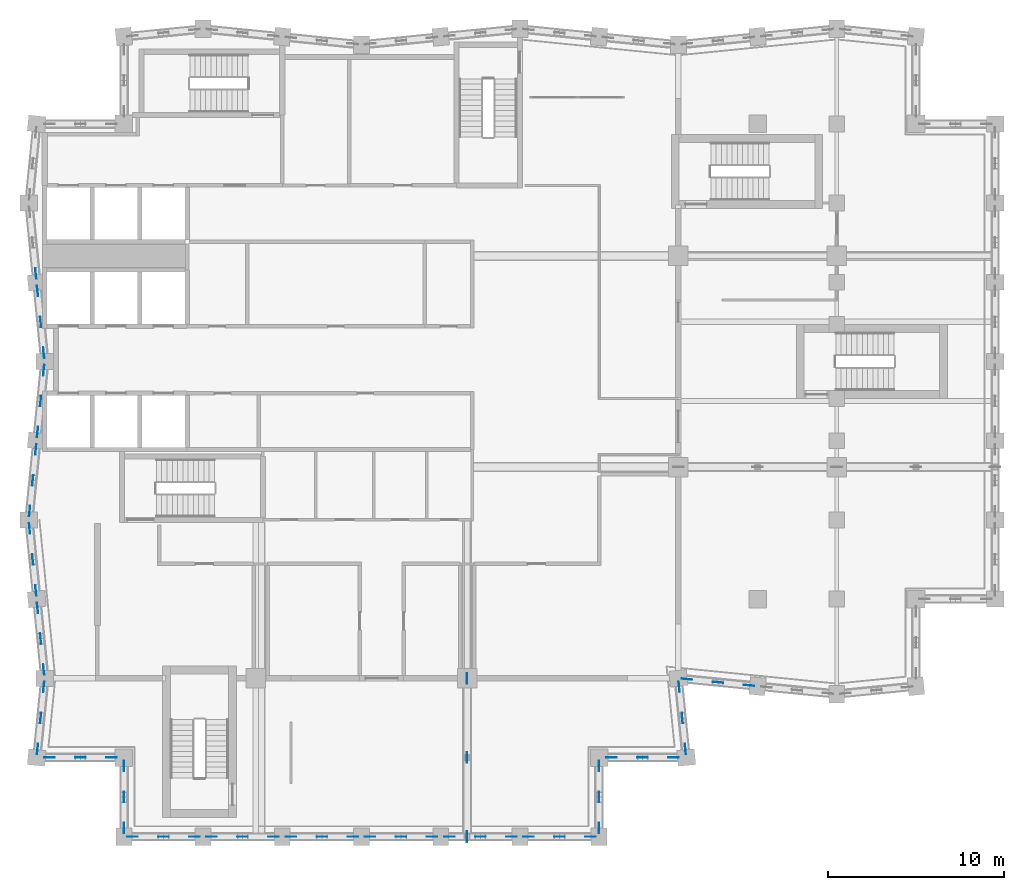
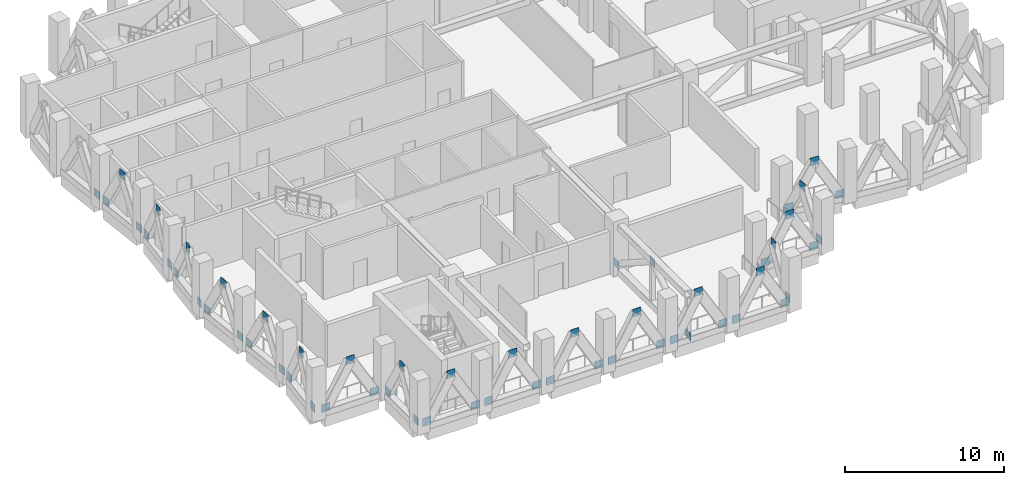
# One storey, part 12 of 18: 58 discrete accessories.
"""IFC4 building model written with IfcOpenShell, lengths in metres."""

from ifc_helpers import new_model, si_unit, direction, frame, origin, origin_2d, place, context, subcontext, project, spatial, rectangle, extrude, material, layer, layer_set, type_object, element, save


model = new_model("IFC4")

# Units and contexts
model_context = context("Model", 3, precision=1e-05, world=origin(), true_north=direction((0.0, 1.0)))
body_context = subcontext(model_context, "Body", "Model", "MODEL_VIEW")
ifc_project = project(units=[si_unit("LENGTHUNIT", "METRE"), si_unit("AREAUNIT", "SQUARE_METRE"), si_unit("VOLUMEUNIT", "CUBIC_METRE"), si_unit("PLANEANGLEUNIT", "RADIAN"), si_unit("MASSUNIT", "GRAM", prefix="KILO")], contexts=[model_context])

# Site, building, storey
site_placement = place(None, origin())
site = spatial("IfcSite", under=ifc_project, at=site_placement, CompositionType="ELEMENT")
building_placement = place(site_placement, origin())
building = spatial("IfcBuilding", under=site, at=building_placement, Name="Brondeck Convention Tower", CompositionType="ELEMENT")
storey_placement = place(building_placement, frame((0.0, 0.0, 248.199951171875)))
storey = spatial("IfcBuildingStorey", under=building, at=storey_placement, Name="L61", CompositionType="ELEMENT", Elevation=248.199951171875)

# Discrete accessories
ifc_material = material(Name="Steel S460", Category="steel")
ifc_layer = layer(ifc_material, 0.02490234375)
ifc_layer_set = layer_set([ifc_layer], Name="Gusset plate 600x600x25 Steel S460")
discrete_accessory_type = type_object("IfcDiscreteAccessoryType", Name="Gusset plate 600x600x25 Steel S460", PredefinedType="BRACKET", material=ifc_layer_set)
for number, where, z_axis, x_axis, name in (
    (1, (4.989013671875, 18.0, 0.199951171875), (0.0, 0.0, 1.0), (1.0, 0.0, 0.0), "Gusset plate GP-660"),
    (2, (6.75, 18.0, 3.25), (0.0, 0.0, 1.0), (1.0, 0.0, 0.0), "Gusset plate GP-661"),
    (3, (8.510986328125, 18.0, 0.199951171875), (0.0, 0.0, 1.0), (1.0, 0.0, 0.0), "Gusset plate GP-662"),
    (4, (9.489013671875, 18.0, 0.199951171875), (0.0, 0.0, 1.0), (1.0, 0.0, 0.0), "Gusset plate GP-663"),
    (5, (11.25, 18.0, 3.25), (0.0, 0.0, 1.0), (1.0, 0.0, 0.0), "Gusset plate GP-664"),
    (6, (13.010986328125, 18.0, 0.199951171875), (0.0, 0.0, 1.0), (1.0, 0.0, 0.0), "Gusset plate GP-665"),
    (7, (13.989013671875, 18.0, 0.199951171875), (0.0, 0.0, 1.0), (1.0, 0.0, 0.0), "Gusset plate GP-666"),
    (8, (15.75, 18.0, 3.25), (0.0, 0.0, 1.0), (1.0, 0.0, 0.0), "Gusset plate GP-667"),
    (9, (17.510986328125, 18.0, 0.199951171875), (0.0, 0.0, 1.0), (1.0, 0.0, 0.0), "Gusset plate GP-668"),
    (10, (18.489013671875, 18.0, 0.199951171875), (0.0, 0.0, 1.0), (1.0, 0.0, 0.0), "Gusset plate GP-669"),
    (11, (20.25, 18.0, 3.25), (0.0, 0.0, 1.0), (1.0, 0.0, 0.0), "Gusset plate GP-670"),
    (12, (22.010986328125, 18.0, 0.199951171875), (0.0, 0.0, 1.0), (1.0, 0.0, 0.0), "Gusset plate GP-671"),
    (13, (22.989013671875, 18.0, 0.199951171875), (0.0, 0.0, 1.0), (1.0, 0.0, 0.0), "Gusset plate GP-672"),
    (14, (24.75, 18.0, 3.25), (0.0, 0.0, 1.0), (1.0, 0.0, 0.0), "Gusset plate GP-673"),
    (15, (26.510986328125, 18.0, 0.199951171875), (0.0, 0.0, 1.0), (1.0, 0.0, 0.0), "Gusset plate GP-674"),
    (16, (27.489013671875, 18.0, 0.199951171875), (0.0, 0.0, 1.0), (1.0, 0.0, 0.0), "Gusset plate GP-675"),
    (17, (29.25, 18.0, 3.25), (0.0, 0.0, 1.0), (1.0, 0.0, 0.0), "Gusset plate GP-676"),
    (18, (31.010986328125, 18.0, 0.199951171875), (0.0, 0.0, 1.0), (1.0, 0.0, 0.0), "Gusset plate GP-677"),
    (19, (31.5, 18.489013671875, 0.199951171875), (0.0, 0.0, 1.0), (0.0, 1.0, 0.0), "Gusset plate GP-678"),
    (20, (31.5, 20.25, 3.25), (0.0, 0.0, 1.0), (0.0, 1.0, 0.0), "Gusset plate GP-679"),
    (21, (31.5, 22.010986328125, 0.199951171875), (0.0, 0.0, 1.0), (0.0, 1.0, 0.0), "Gusset plate GP-680"),
    (22, (32.214111328125, 22.5, 0.199951171875), (0.0, 0.0, 1.0), (1.0, 0.0, 0.0), "Gusset plate GP-681"),
    (23, (33.97509765625, 22.5, 3.25), (0.0, 0.0, 1.0), (1.0, 0.0, 0.0), "Gusset plate GP-682"),
    (24, (35.73583984375, 22.5, 0.199951171875), (0.0, 0.0, 1.0), (1.0, 0.0, 0.0), "Gusset plate GP-683"),
    (25, (36.400146484375, 22.997802734375, 0.199951171875), (0.0, 0.0, 1.0), (-0.099510784867, 0.9950364836, 0.0), "Gusset plate GP-684"),
    (26, (36.22509765625, 24.75, 3.25), (0.0, 0.0, 1.0), (-0.099510784867, 0.9950364836, 0.0), "Gusset plate GP-685"),
    (27, (36.0498046875, 26.502197265625, 0.199951171875), (0.0, 0.0, 1.0), (-0.099510784867, 0.9950364836, 0.0), "Gusset plate GP-686"),
    (28, (36.497802734375, 26.9501953125, 0.199951171875), (0.0, 0.0, 1.0), (-0.9950364836, 0.099510784867, 0.0), "Gusset plate GP-687"),
    (29, (38.25, 26.77490234375, 3.25), (0.0, 0.0, 1.0), (-0.9950364836, 0.099510784867, 0.0), "Gusset plate GP-688"),
    (30, (40.002197265625, 26.599853515625, 0.199951171875), (0.0, 0.0, 1.0), (-0.9950364836, 0.099510784867, 0.0), "Gusset plate GP-689"),
    (31, (-0.499755859375, 49.997802734375, 0.199951171875), (0.0, 0.0, 1.0), (-0.099510784867, 0.9950364836, 0.0), "Gusset plate GP-767"),
    (32, (-0.400146484375, 49.002197265625, 0.199951171875), (0.0, 0.0, 1.0), (-0.099510784867, 0.9950364836, 0.0), "Gusset plate GP-768"),
    (33, (-0.22509765625, 47.25, 3.25), (0.0, 0.0, 1.0), (-0.099510784867, 0.9950364836, 0.0), "Gusset plate GP-769"),
    (34, (-0.0498046875, 45.497802734375, 0.199951171875), (0.0, 0.0, 1.0), (-0.099510784867, 0.9950364836, 0.0), "Gusset plate GP-770"),
    (35, (-0.0498046875, 44.502197265625, 0.199951171875), (0.0, 0.0, 1.0), (0.099510784867, 0.9950364836, 0.0), "Gusset plate GP-771"),
    (36, (-0.22509765625, 42.75, 3.25), (0.0, 0.0, 1.0), (0.099510784867, 0.9950364836, 0.0), "Gusset plate GP-772"),
    (37, (-0.400146484375, 40.997802734375, 0.199951171875), (0.0, 0.0, 1.0), (0.099510784867, 0.9950364836, 0.0), "Gusset plate GP-773"),
    (38, (-0.499755859375, 40.002197265625, 0.199951171875), (0.0, 0.0, 1.0), (0.099510784867, 0.9950364836, 0.0), "Gusset plate GP-774"),
    (39, (-0.675048828125, 38.25, 3.25), (0.0, 0.0, 1.0), (0.099510784867, 0.9950364836, 0.0), "Gusset plate GP-775"),
    (40, (-0.85009765625, 36.497802734375, 0.199951171875), (0.0, 0.0, 1.0), (0.099510784867, 0.9950364836, 0.0), "Gusset plate GP-776"),
    (41, (-0.85009765625, 35.502197265625, 0.199951171875), (0.0, 0.0, 1.0), (-0.099510784867, 0.9950364836, 0.0), "Gusset plate GP-777"),
    (42, (-0.675048828125, 33.75, 3.25), (0.0, 0.0, 1.0), (-0.099510784867, 0.9950364836, 0.0), "Gusset plate GP-778"),
    (43, (-0.499755859375, 31.997802734375, 0.199951171875), (0.0, 0.0, 1.0), (-0.099510784867, 0.9950364836, 0.0), "Gusset plate GP-779"),
    (44, (-0.400146484375, 31.002197265625, 0.199951171875), (0.0, 0.0, 1.0), (-0.099510784867, 0.9950364836, 0.0), "Gusset plate GP-780"),
    (45, (-0.22509765625, 29.25, 3.25), (0.0, 0.0, 1.0), (-0.099510784867, 0.9950364836, 0.0), "Gusset plate GP-781"),
    (46, (-0.0498046875, 27.497802734375, 0.199951171875), (0.0, 0.0, 1.0), (-0.099510784867, 0.9950364836, 0.0), "Gusset plate GP-782"),
    (47, (-0.0498046875, 26.502197265625, 0.199951171875), (0.0, 0.0, 1.0), (0.099510784867, 0.9950364836, 0.0), "Gusset plate GP-783"),
    (48, (-0.22509765625, 24.75, 3.25), (0.0, 0.0, 1.0), (0.099510784867, 0.9950364836, 0.0), "Gusset plate GP-784"),
    (49, (-0.400146484375, 22.997802734375, 0.199951171875), (0.0, 0.0, 1.0), (0.099510784867, 0.9950364836, 0.0), "Gusset plate GP-785"),
    (50, (0.26416015625, 22.5, 0.199951171875), (0.0, 0.0, 1.0), (1.0, 0.0, 0.0), "Gusset plate GP-786"),
    (51, (2.02490234375, 22.5, 3.25), (0.0, 0.0, 1.0), (1.0, 0.0, 0.0), "Gusset plate GP-787"),
    (52, (3.785888671875, 22.5, 0.199951171875), (0.0, 0.0, 1.0), (1.0, 0.0, 0.0), "Gusset plate GP-788"),
    (53, (4.5, 22.010986328125, 0.199951171875), (0.0, 0.0, 1.0), (0.0, 1.0, 0.0), "Gusset plate GP-789"),
    (54, (4.5, 20.25, 3.25), (0.0, 0.0, 1.0), (0.0, 1.0, 0.0), "Gusset plate GP-790"),
    (55, (4.5, 18.489013671875, 0.199951171875), (0.0, 0.0, 1.0), (0.0, 1.0, 0.0), "Gusset plate GP-791"),
    (56, (24.0, 27.0, 0.199951171875), (0.0, 0.0, 1.0), (0.0, 1.0, 0.0), "Gusset plate GP-797"),
    (57, (24.0, 22.5, 3.10009765625), (0.0, 0.0, 1.0), (0.0, 1.0, 0.0), "Gusset plate GP-798"),
    (58, (24.0, 18.0, 0.199951171875), (0.0, 0.0, 1.0), (0.0, 1.0, 0.0), "Gusset plate GP-799"),
):
    element("IfcDiscreteAccessory", number, at=place(storey_placement, frame(where, z_axis=z_axis, x_axis=x_axis)), inside=storey, type_object=discrete_accessory_type, Name=name, PredefinedType="BRACKET", context=body_context, shape_type="SweptSolid", body=[
        extrude(rectangle(XDim=0.60009765625, YDim=0.02490234375, at=origin_2d()), origin(), (0.0, 0.0, 1.0), 0.60009765625),
    ])

save(model, "model.ifc")
